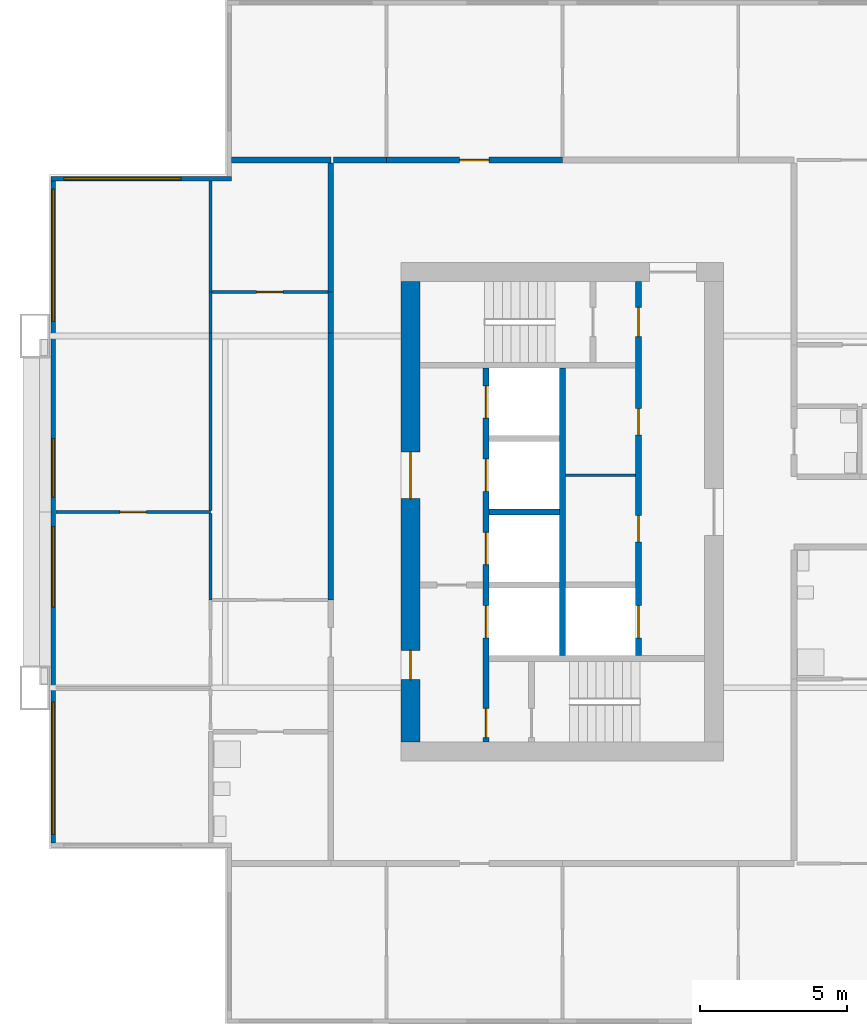
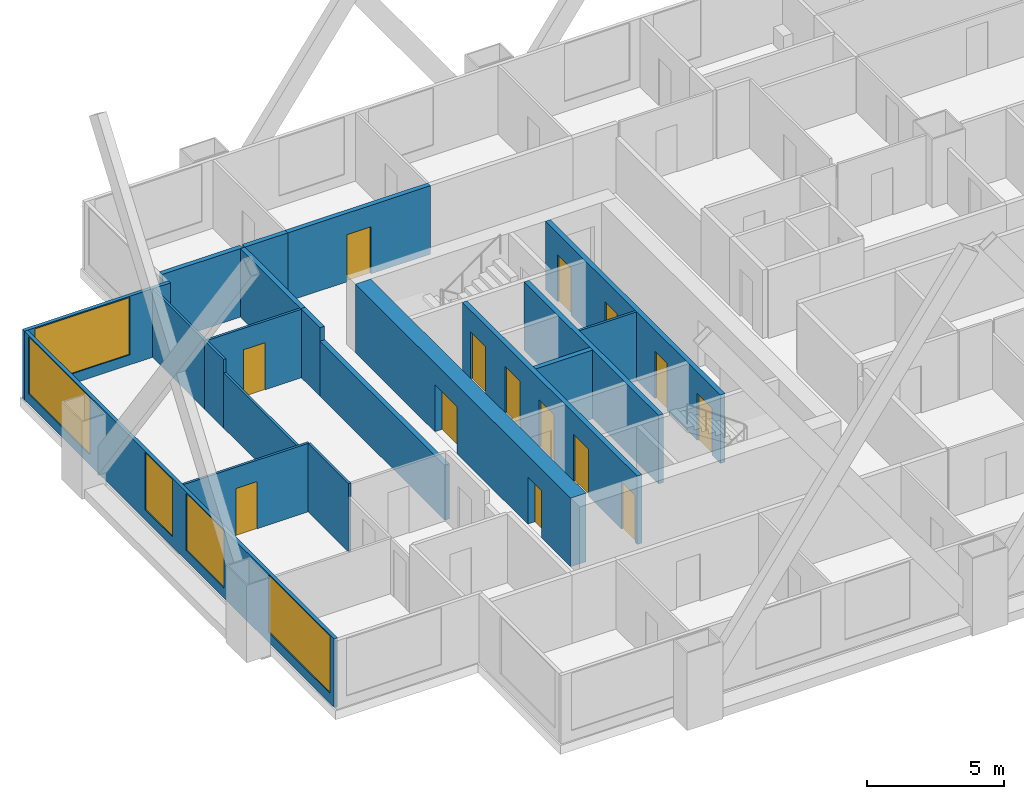
# One storey, part 3 of 11: 20 walls, 14 doors, 5 windows, 19 openings.
"""IFC4 building model written with IfcOpenShell, lengths in metres."""

from ifc_helpers import new_model, si_unit, direction, frame, frame_2d, origin, place, context, subcontext, project, spatial, rectangle, extrude, material, layer, layer_set, type_object, element, fill, save


model = new_model("IFC4")

# Units and contexts
model_context = context("Model", 3, precision=1e-05, world=origin(), true_north=direction((0.0, 1.0)))
body_context = subcontext(model_context, "Body", "Model", "MODEL_VIEW")
ifc_project = project(units=[si_unit("LENGTHUNIT", "METRE"), si_unit("AREAUNIT", "SQUARE_METRE"), si_unit("VOLUMEUNIT", "CUBIC_METRE"), si_unit("PLANEANGLEUNIT", "RADIAN"), si_unit("MASSUNIT", "GRAM", prefix="KILO")], contexts=[model_context])

# Site, building, storey
site_placement = place(None, origin())
site = spatial("IfcSite", under=ifc_project, at=site_placement, CompositionType="ELEMENT")
building_placement = place(site_placement, origin())
building = spatial("IfcBuilding", under=site, at=building_placement, Name="Kitamizu Gate Tower and Museum", CompositionType="ELEMENT")
storey_placement = place(building_placement, frame((0.0, 0.0, 96.60009765625)))
storey = spatial("IfcBuildingStorey", under=building, at=storey_placement, Name="L24", CompositionType="ELEMENT", Elevation=96.60009765625)

# Wall, openings, doors
ifc_material_1 = material(Name="Concrete Fc60", Category="concrete")
ifc_layer_1 = layer(ifc_material_1, 0.64990234375)
ifc_layer_set_1 = layer_set([ifc_layer_1], Name="Concrete Fc60")
wall_type_1 = type_object("IfcWallType", Name="Core wall 650", PredefinedType="SHEAR", material=ifc_layer_set_1)
wall_1_placement = place(storey_placement, frame((12.824951171875, 22.14990234375, 0.0), z_axis=(0.0, 0.0, 1.0), x_axis=(0.0, 1.0, 0.0)))
wall_1 = element("IfcWall", 1, at=wall_1_placement, inside=storey, type_object=wall_type_1, Name="Core wall WOUT", PredefinedType="SHEAR", context=body_context, shape_type="SweptSolid", body=[
    extrude(rectangle(XDim=15.7001953125, YDim=0.64990234375, at=frame_2d((7.85009765625, 0.0))), origin(), (0.0, 0.0, 1.0), 3.0498046875),
])
opening_1_placement = place(wall_1_placement, frame((8.300048828125, 0.0, 0.0)))
opening_1 = element("IfcOpeningElement", 2, at=opening_1_placement, cuts=wall_1, Name="Opening L24-061", PredefinedType="OPENING", context=body_context, shape_type="SweptSolid", body=[
    extrude(rectangle(XDim=1.60009765625, YDim=2.10009765625, at=frame_2d((0.800048828125, 1.050048828125))), frame((0.0, 0.3349609375, 0.0), z_axis=(0.0, -1.0, 0.0), x_axis=(1.0, 0.0, 0.0)), (0.0, 0.0, 1.0), 0.669921875),
])
opening_2_placement = place(wall_1_placement, frame((2.125, 0.0, 0.0)))
opening_2 = element("IfcOpeningElement", 3, at=opening_2_placement, cuts=wall_1, Name="Opening L24-062", PredefinedType="OPENING", context=body_context, shape_type="SweptSolid", body=[
    extrude(rectangle(XDim=1.0, YDim=2.10009765625, at=frame_2d((0.5, 1.050048828125))), frame((0.0, 0.3349609375, 0.0), z_axis=(0.0, -1.0, 0.0), x_axis=(1.0, 0.0, 0.0)), (0.0, 0.0, 1.0), 0.669921875),
])
ifc_material_2 = material(Name="Timber door set", Category="wood")
door_type_1 = type_object("IfcDoorType", Name="Entrance door 1600", OperationType="DOUBLE_DOOR_SINGLE_SWING", PredefinedType="DOOR", material=ifc_material_2)
door_1_placement = place(opening_1_placement, origin())
door_1 = element("IfcDoor", 4, at=door_1_placement, inside=storey, type_object=door_type_1, Name="Lobby door L24-061", OperationType="DOUBLE_DOOR_SINGLE_SWING", OverallHeight=2.10009765625, OverallWidth=1.60009765625, PredefinedType="DOOR", context=body_context, shape_type="SweptSolid", body=[
    extrude(rectangle(XDim=1.60009765625, YDim=2.10009765625, at=frame_2d((0.800048828125, 1.050048828125))), frame((0.0, 0.02490234375, 0.0), z_axis=(0.0, -1.0, 0.0), x_axis=(1.0, 0.0, 0.0)), (0.0, 0.0, 1.0), 0.050048828125),
])
fill(opening_1, door_1)
ifc_material_3 = material(Name="Hollow metal door set")
door_type_2 = type_object("IfcDoorType", Name="Fire door 1000", OperationType="NOTDEFINED", PredefinedType="DOOR", material=ifc_material_3)
door_2_placement = place(opening_2_placement, frame((1.0, 0.0, 0.0), x_axis=(-1.0, 0.0, 0.0)))
door_2 = element("IfcDoor", 5, at=door_2_placement, inside=storey, type_object=door_type_2, Name="Fire-fighting lobby door L24-062", OperationType="SINGLE_SWING_RIGHT", OverallHeight=2.10009765625, OverallWidth=1.0, PredefinedType="DOOR", context=body_context, shape_type="SweptSolid", body=[
    extrude(rectangle(XDim=1.0, YDim=2.10009765625, at=frame_2d((0.5, 1.050048828125))), frame((0.0, 0.02490234375, 0.0), z_axis=(0.0, -1.0, 0.0), x_axis=(1.0, 0.0, 0.0)), (0.0, 0.0, 1.0), 0.050048828125),
])
fill(opening_2, door_2)

# Wall
ifc_material_4 = material(Name="Gypsum board on galvanised stud")
ifc_layer_2 = layer(ifc_material_4, 0.10009765625)
ifc_layer_set_2 = layer_set([ifc_layer_2], Name="Gypsum board on galvanised stud")
wall_type_2 = type_object("IfcWallType", Name="Partition 100", PredefinedType="PARTITIONING", material=ifc_layer_set_2)
wall_2_placement = place(storey_placement, frame((18.10009765625, 31.25, 0.0), z_axis=(0.0, 0.0, 1.0), x_axis=(1.0, 0.0, 0.0)))
element("IfcWall", 6, at=wall_2_placement, inside=storey, type_object=wall_type_2, Name="Partition WPF1", PredefinedType="PARTITIONING", context=body_context, shape_type="SweptSolid", body=[
    extrude(rectangle(XDim=2.39990234375, YDim=0.10009765625, at=frame_2d((1.199951171875, 0.0))), origin(), (0.0, 0.0, 1.0), 3.0498046875),
])

# Wall, opening, door
ifc_material_5 = material(Name="Gypsum board on galvanised stud")
ifc_layer_3 = layer(ifc_material_5, 0.10009765625)
ifc_layer_set_3 = layer_set([ifc_layer_3], Name="Gypsum board on galvanised stud")
wall_type_3 = type_object("IfcWallType", Name="Partition 100 NOT RATED", PredefinedType="PARTITIONING", material=ifc_layer_set_3)
wall_3_placement = place(storey_placement, frame((6.0, 30.0, 0.0), z_axis=(0.0, 0.0, 1.0), x_axis=(-1.0, 0.0, 0.0)))
wall_3 = element("IfcWall", 7, at=wall_3_placement, inside=storey, type_object=wall_type_3, Name="Partition L24-033", PredefinedType="PARTITIONING", context=body_context, shape_type="SweptSolid", body=[
    extrude(rectangle(XDim=5.280029296875, YDim=0.10009765625, at=frame_2d((2.64013671875, 0.0))), origin(), (0.0, 0.0, 1.0), 3.0498046875),
])
opening_3_placement = place(wall_3_placement, frame((2.18994140625, 0.0, 0.0)))
opening_3 = element("IfcOpeningElement", 8, at=opening_3_placement, cuts=wall_3, Name="Opening L24-015", PredefinedType="OPENING", context=body_context, shape_type="SweptSolid", body=[
    extrude(rectangle(XDim=0.89990234375, YDim=2.10009765625, at=frame_2d((0.449951171875, 1.050048828125))), frame((0.0, 0.06005859375, 0.0), z_axis=(0.0, -1.0, 0.0), x_axis=(1.0, 0.0, 0.0)), (0.0, 0.0, 1.0), 0.1201171875),
])
ifc_material_6 = material(Name="Timber door set", Category="wood")
door_type_3 = type_object("IfcDoorType", Name="Room door 900", OperationType="NOTDEFINED", PredefinedType="DOOR", material=ifc_material_6)
door_3_placement = place(opening_3_placement, origin())
door_3 = element("IfcDoor", 9, at=door_3_placement, inside=storey, type_object=door_type_3, Name="Door L24-015", OperationType="SINGLE_SWING_RIGHT", OverallHeight=2.10009765625, OverallWidth=0.89990234375, PredefinedType="DOOR", context=body_context, shape_type="SweptSolid", body=[
    extrude(rectangle(XDim=0.89990234375, YDim=2.10009765625, at=frame_2d((0.449951171875, 1.050048828125))), frame((0.0, 0.02490234375, 0.0), z_axis=(0.0, -1.0, 0.0), x_axis=(1.0, 0.0, 0.0)), (0.0, 0.0, 1.0), 0.050048828125),
])
fill(opening_3, door_3)

# Walls
wall_4_placement = place(storey_placement, frame((6.0, 27.0, 0.0), z_axis=(0.0, 0.0, 1.0), x_axis=(0.0, 1.0, 0.0)))
element("IfcWall", 10, at=wall_4_placement, inside=storey, type_object=wall_type_3, Name="Partition L24-035", PredefinedType="PARTITIONING", context=body_context, shape_type="SweptSolid", body=[
    extrude(rectangle(XDim=2.949951171875, YDim=0.10009765625, at=frame_2d((1.47509765625, 0.0))), origin(), (0.0, 0.0, 1.0), 3.0498046875),
])
wall_5_placement = place(storey_placement, frame((6.0, 30.050048828125, 0.0), z_axis=(0.0, 0.0, 1.0), x_axis=(0.0, 1.0, 0.0)))
element("IfcWall", 11, at=wall_5_placement, inside=storey, type_object=wall_type_3, Name="Partition L24-036", PredefinedType="PARTITIONING", context=body_context, shape_type="SweptSolid", body=[
    extrude(rectangle(XDim=6.050048828125, YDim=0.10009765625, at=frame_2d((3.02490234375, 0.0))), origin(), (0.0, 0.0, 1.0), 2.449951171875),
])
wall_6_placement = place(storey_placement, frame((6.0, 36.10009765625, 0.0), z_axis=(0.0, 0.0, 1.0), x_axis=(0.0, 1.0, 0.0)))
element("IfcWall", 12, at=wall_6_placement, inside=storey, type_object=wall_type_3, Name="Partition L24-037", PredefinedType="PARTITIONING", context=body_context, shape_type="SweptSolid", body=[
    extrude(rectangle(XDim=1.39990234375, YDim=0.10009765625, at=frame_2d((0.699951171875, 0.0))), origin(), (0.0, 0.0, 1.0), 3.0498046875),
])
wall_7_placement = place(storey_placement, frame((6.0, 37.5, 0.0), z_axis=(0.0, 0.0, 1.0), x_axis=(0.0, 1.0, 0.0)))
element("IfcWall", 13, at=wall_7_placement, inside=storey, type_object=wall_type_3, Name="Partition L24-038", PredefinedType="PARTITIONING", context=body_context, shape_type="SweptSolid", body=[
    extrude(rectangle(XDim=3.780029296875, YDim=0.10009765625, at=frame_2d((1.89013671875, 0.0))), origin(), (0.0, 0.0, 1.0), 3.0498046875),
])

# Wall, opening, door
wall_8_placement = place(storey_placement, frame((10.0, 37.5, 0.0), z_axis=(0.0, 0.0, 1.0), x_axis=(-1.0, 0.0, 0.0)))
wall_8 = element("IfcWall", 14, at=wall_8_placement, inside=storey, type_object=wall_type_3, Name="Partition L24-044", PredefinedType="PARTITIONING", context=body_context, shape_type="SweptSolid", body=[
    extrude(rectangle(XDim=3.949951171875, YDim=0.10009765625, at=frame_2d((1.97509765625, 0.0))), origin(), (0.0, 0.0, 1.0), 3.0498046875),
])
opening_4_placement = place(wall_8_placement, frame((1.52490234375, 0.0, 0.0)))
opening_4 = element("IfcOpeningElement", 15, at=opening_4_placement, cuts=wall_8, Name="Opening L24-017", PredefinedType="OPENING", context=body_context, shape_type="SweptSolid", body=[
    extrude(rectangle(XDim=0.89990234375, YDim=2.10009765625, at=frame_2d((0.449951171875, 1.050048828125))), frame((0.0, 0.06005859375, 0.0), z_axis=(0.0, -1.0, 0.0), x_axis=(1.0, 0.0, 0.0)), (0.0, 0.0, 1.0), 0.1201171875),
])
door_4_placement = place(opening_4_placement, frame((0.89990234375, 0.0, 0.0), x_axis=(-1.0, 0.0, 0.0)))
door_4 = element("IfcDoor", 16, at=door_4_placement, inside=storey, type_object=door_type_3, Name="Door L24-017", OperationType="SINGLE_SWING_LEFT", OverallHeight=2.10009765625, OverallWidth=0.89990234375, PredefinedType="DOOR", context=body_context, shape_type="SweptSolid", body=[
    extrude(rectangle(XDim=0.89990234375, YDim=2.10009765625, at=frame_2d((0.449951171875, 1.050048828125))), frame((0.0, 0.02490234375, 0.0), z_axis=(0.0, -1.0, 0.0), x_axis=(1.0, 0.0, 0.0)), (0.0, 0.0, 1.0), 0.050048828125),
])
fill(opening_4, door_4)

# Walls
ifc_material_7 = material(Name="Gypsum board on galvanised stud")
ifc_layer_4 = layer(ifc_material_7, 0.199951171875)
ifc_layer_set_4 = layer_set([ifc_layer_4], Name="Gypsum board on galvanised stud")
wall_type_4 = type_object("IfcWallType", Name="Partition 200", PredefinedType="PARTITIONING", material=ifc_layer_set_4)
wall_9_placement = place(storey_placement, frame((10.10009765625, 27.0, 0.0), z_axis=(0.0, 0.0, 1.0), x_axis=(0.0, 1.0, 0.0)))
element("IfcWall", 17, at=wall_9_placement, inside=storey, type_object=wall_type_4, Name="Partition L24-045", PredefinedType="PARTITIONING", context=body_context, shape_type="SweptSolid", body=[
    extrude(rectangle(XDim=9.10009765625, YDim=0.199951171875, at=frame_2d((4.550048828125, 0.0))), origin(), (0.0, 0.0, 1.0), 2.449951171875),
])
wall_10_placement = place(storey_placement, frame((10.10009765625, 36.10009765625, 0.0), z_axis=(0.0, 0.0, 1.0), x_axis=(0.0, 1.0, 0.0)))
element("IfcWall", 18, at=wall_10_placement, inside=storey, type_object=wall_type_4, Name="Partition L24-046", PredefinedType="PARTITIONING", context=body_context, shape_type="SweptSolid", body=[
    extrude(rectangle(XDim=1.39990234375, YDim=0.199951171875, at=frame_2d((0.699951171875, 0.0))), origin(), (0.0, 0.0, 1.0), 3.0498046875),
])
wall_11_placement = place(storey_placement, frame((10.10009765625, 42.0, 0.0), z_axis=(0.0, 0.0, 1.0), x_axis=(-1.0, 0.0, 0.0)))
element("IfcWall", 19, at=wall_11_placement, inside=storey, type_object=wall_type_4, Name="Partition L24-047", PredefinedType="PARTITIONING", context=body_context, shape_type="SweptSolid", body=[
    extrude(rectangle(XDim=3.380126953125, YDim=0.199951171875, at=frame_2d((1.68994140625, 0.0))), origin(), (0.0, 0.0, 1.0), 3.0498046875),
])
wall_12_placement = place(storey_placement, frame((10.10009765625, 37.5, 0.0), z_axis=(0.0, 0.0, 1.0), x_axis=(0.0, 1.0, 0.0)))
element("IfcWall", 20, at=wall_12_placement, inside=storey, type_object=wall_type_4, Name="Partition L24-048", PredefinedType="PARTITIONING", context=body_context, shape_type="SweptSolid", body=[
    extrude(rectangle(XDim=4.39990234375, YDim=0.199951171875, at=frame_2d((2.199951171875, 0.0))), origin(), (0.0, 0.0, 1.0), 3.0498046875),
])
wall_13_placement = place(storey_placement, frame((10.199951171875, 42.0, 0.0), z_axis=(0.0, 0.0, 1.0), x_axis=(1.0, 0.0, 0.0)))
element("IfcWall", 21, at=wall_13_placement, inside=storey, type_object=wall_type_4, Name="Partition L24-094", PredefinedType="PARTITIONING", context=body_context, shape_type="SweptSolid", body=[
    extrude(rectangle(XDim=1.800048828125, YDim=0.199951171875, at=frame_2d((0.89990234375, 0.0))), origin(), (0.0, 0.0, 1.0), 3.0498046875),
])

# Wall, opening, door
wall_14_placement = place(storey_placement, frame((12.0, 42.0, 0.0), z_axis=(0.0, 0.0, 1.0), x_axis=(1.0, 0.0, 0.0)))
wall_14 = element("IfcWall", 22, at=wall_14_placement, inside=storey, type_object=wall_type_4, Name="Partition L24-096", PredefinedType="PARTITIONING", context=body_context, shape_type="SweptSolid", body=[
    extrude(rectangle(XDim=6.0, YDim=0.199951171875, at=frame_2d((3.0, 0.0))), origin(), (0.0, 0.0, 1.0), 3.0498046875),
])
opening_5_placement = place(wall_14_placement, frame((2.5, 0.0, 0.0)))
opening_5 = element("IfcOpeningElement", 23, at=opening_5_placement, cuts=wall_14, Name="Opening L24-036", PredefinedType="OPENING", context=body_context, shape_type="SweptSolid", body=[
    extrude(rectangle(XDim=1.0, YDim=2.10009765625, at=frame_2d((0.5, 1.050048828125))), frame((0.0, 0.10986328125, 0.0), z_axis=(0.0, -1.0, 0.0), x_axis=(1.0, 0.0, 0.0)), (0.0, 0.0, 1.0), 0.219970703125),
])
ifc_material_8 = material(Name="Timber door set", Category="wood")
door_type_4 = type_object("IfcDoorType", Name="Flat entrance door 1000", OperationType="NOTDEFINED", PredefinedType="DOOR", material=ifc_material_8)
door_5_placement = place(opening_5_placement, origin())
door_5 = element("IfcDoor", 24, at=door_5_placement, inside=storey, type_object=door_type_4, Name="Flat entrance door L24-036", OperationType="SINGLE_SWING_RIGHT", OverallHeight=2.10009765625, OverallWidth=1.0, PredefinedType="DOOR", context=body_context, shape_type="SweptSolid", body=[
    extrude(rectangle(XDim=1.0, YDim=2.10009765625, at=frame_2d((0.5, 1.050048828125))), frame((0.0, 0.02490234375, 0.0), z_axis=(0.0, -1.0, 0.0), x_axis=(1.0, 0.0, 0.0)), (0.0, 0.0, 1.0), 0.050048828125),
])
fill(opening_5, door_5)

# Wall, openings, doors
ifc_material_9 = material(Name="Concrete Fc42", Category="concrete")
ifc_layer_5 = layer(ifc_material_9, 0.199951171875)
ifc_layer_set_5 = layer_set([ifc_layer_5], Name="Concrete Fc42")
wall_type_5 = type_object("IfcWallType", Name="Shaft wall 200", PredefinedType="SOLIDWALL", material=ifc_layer_set_5)
wall_15_placement = place(storey_placement, frame((15.39990234375, 22.14990234375, 0.0), z_axis=(0.0, 0.0, 1.0), x_axis=(0.0, 1.0, 0.0)))
wall_15 = element("IfcWall", 25, at=wall_15_placement, inside=storey, type_object=wall_type_5, Name="Shaft wall WWEST", PredefinedType="SOLIDWALL", context=body_context, shape_type="SweptSolid", body=[
    extrude(rectangle(XDim=12.75, YDim=0.199951171875, at=frame_2d((6.375, 0.0))), origin(), (0.0, 0.0, 1.0), 3.0498046875),
])
opening_6_placement = place(wall_15_placement, frame((3.550048828125, 0.0, 0.0)))
opening_6 = element("IfcOpeningElement", 26, at=opening_6_placement, cuts=wall_15, Name="Opening LD", PredefinedType="OPENING", context=body_context, shape_type="SweptSolid", body=[
    extrude(rectangle(XDim=1.10009765625, YDim=2.10009765625, at=frame_2d((0.550048828125, 1.050048828125))), frame((0.0, 0.10986328125, 0.0), z_axis=(0.0, -1.0, 0.0), x_axis=(1.0, 0.0, 0.0)), (0.0, 0.0, 1.0), 0.219970703125),
])
opening_7_placement = place(wall_15_placement, frame((6.050048828125, 0.0, 0.0)))
opening_7 = element("IfcOpeningElement", 27, at=opening_7_placement, cuts=wall_15, Name="Opening LD", PredefinedType="OPENING", context=body_context, shape_type="SweptSolid", body=[
    extrude(rectangle(XDim=1.10009765625, YDim=2.10009765625, at=frame_2d((0.550048828125, 1.050048828125))), frame((0.0, 0.10986328125, 0.0), z_axis=(0.0, -1.0, 0.0), x_axis=(1.0, 0.0, 0.0)), (0.0, 0.0, 1.0), 0.219970703125),
])
opening_8_placement = place(wall_15_placement, frame((8.550048828125, 0.0, 0.0)))
opening_8 = element("IfcOpeningElement", 28, at=opening_8_placement, cuts=wall_15, Name="Opening LD", PredefinedType="OPENING", context=body_context, shape_type="SweptSolid", body=[
    extrude(rectangle(XDim=1.10009765625, YDim=2.10009765625, at=frame_2d((0.550048828125, 1.050048828125))), frame((0.0, 0.10986328125, 0.0), z_axis=(0.0, -1.0, 0.0), x_axis=(1.0, 0.0, 0.0)), (0.0, 0.0, 1.0), 0.219970703125),
])
opening_9_placement = place(wall_15_placement, frame((11.050048828125, 0.0, 0.0)))
opening_9 = element("IfcOpeningElement", 29, at=opening_9_placement, cuts=wall_15, Name="Opening LD", PredefinedType="OPENING", context=body_context, shape_type="SweptSolid", body=[
    extrude(rectangle(XDim=1.10009765625, YDim=2.10009765625, at=frame_2d((0.550048828125, 1.050048828125))), frame((0.0, 0.10986328125, 0.0), z_axis=(0.0, -1.0, 0.0), x_axis=(1.0, 0.0, 0.0)), (0.0, 0.0, 1.0), 0.219970703125),
])
opening_10_placement = place(wall_15_placement, frame((0.14990234375, 0.0, 0.0)))
opening_10 = element("IfcOpeningElement", 30, at=opening_10_placement, cuts=wall_15, Name="Opening L24-057", PredefinedType="OPENING", context=body_context, shape_type="SweptSolid", body=[
    extrude(rectangle(XDim=1.0, YDim=2.10009765625, at=frame_2d((0.5, 1.050048828125))), frame((0.0, 0.10986328125, 0.0), z_axis=(0.0, -1.0, 0.0), x_axis=(1.0, 0.0, 0.0)), (0.0, 0.0, 1.0), 0.219970703125),
])
door_6_placement = place(opening_10_placement, frame((1.0, 0.0, 0.0), x_axis=(-1.0, 0.0, 0.0)))
door_6 = element("IfcDoor", 31, at=door_6_placement, inside=storey, type_object=door_type_2, Name="Stair lobby door L24-057", OperationType="SINGLE_SWING_LEFT", OverallHeight=2.10009765625, OverallWidth=1.0, PredefinedType="DOOR", context=body_context, shape_type="SweptSolid", body=[
    extrude(rectangle(XDim=1.0, YDim=2.10009765625, at=frame_2d((0.5, 1.050048828125))), frame((0.0, 0.02490234375, 0.0), z_axis=(0.0, -1.0, 0.0), x_axis=(1.0, 0.0, 0.0)), (0.0, 0.0, 1.0), 0.050048828125),
])
fill(opening_10, door_6)
ifc_material_10 = material(Name="Hollow metal door set")
door_type_5 = type_object("IfcDoorType", Name="Landing door 1100", OperationType="SLIDING_TO_LEFT", PredefinedType="DOOR", material=ifc_material_10)
door_7_placement = place(opening_6_placement, origin())
door_7 = element("IfcDoor", 32, at=door_7_placement, inside=storey, type_object=door_type_5, Name="Landing door WFF1", OperationType="SLIDING_TO_LEFT", OverallHeight=2.10009765625, OverallWidth=1.10009765625, PredefinedType="DOOR", context=body_context, shape_type="SweptSolid", body=[
    extrude(rectangle(XDim=1.10009765625, YDim=2.10009765625, at=frame_2d((0.550048828125, 1.050048828125))), frame((0.0, 0.02490234375, 0.0), z_axis=(0.0, -1.0, 0.0), x_axis=(1.0, 0.0, 0.0)), (0.0, 0.0, 1.0), 0.050048828125),
])
fill(opening_6, door_7)
door_8_placement = place(opening_7_placement, origin())
door_8 = element("IfcDoor", 33, at=door_8_placement, inside=storey, type_object=door_type_5, Name="Landing door WL1", OperationType="SLIDING_TO_LEFT", OverallHeight=2.10009765625, OverallWidth=1.10009765625, PredefinedType="DOOR", context=body_context, shape_type="SweptSolid", body=[
    extrude(rectangle(XDim=1.10009765625, YDim=2.10009765625, at=frame_2d((0.550048828125, 1.050048828125))), frame((0.0, 0.02490234375, 0.0), z_axis=(0.0, -1.0, 0.0), x_axis=(1.0, 0.0, 0.0)), (0.0, 0.0, 1.0), 0.050048828125),
])
fill(opening_7, door_8)
door_9_placement = place(opening_8_placement, origin())
door_9 = element("IfcDoor", 34, at=door_9_placement, inside=storey, type_object=door_type_5, Name="Landing door WL2", OperationType="SLIDING_TO_LEFT", OverallHeight=2.10009765625, OverallWidth=1.10009765625, PredefinedType="DOOR", context=body_context, shape_type="SweptSolid", body=[
    extrude(rectangle(XDim=1.10009765625, YDim=2.10009765625, at=frame_2d((0.550048828125, 1.050048828125))), frame((0.0, 0.02490234375, 0.0), z_axis=(0.0, -1.0, 0.0), x_axis=(1.0, 0.0, 0.0)), (0.0, 0.0, 1.0), 0.050048828125),
])
fill(opening_8, door_9)
door_10_placement = place(opening_9_placement, origin())
door_10 = element("IfcDoor", 35, at=door_10_placement, inside=storey, type_object=door_type_5, Name="Landing door WL3", OperationType="SLIDING_TO_LEFT", OverallHeight=2.10009765625, OverallWidth=1.10009765625, PredefinedType="DOOR", context=body_context, shape_type="SweptSolid", body=[
    extrude(rectangle(XDim=1.10009765625, YDim=2.10009765625, at=frame_2d((0.550048828125, 1.050048828125))), frame((0.0, 0.02490234375, 0.0), z_axis=(0.0, -1.0, 0.0), x_axis=(1.0, 0.0, 0.0)), (0.0, 0.0, 1.0), 0.050048828125),
])
fill(opening_9, door_10)

wall_16_placement = place(storey_placement, frame((20.60009765625, 25.10009765625, 0.0), z_axis=(0.0, 0.0, 1.0), x_axis=(0.0, 1.0, 0.0)))
wall_16 = element("IfcWall", 36, at=wall_16_placement, inside=storey, type_object=wall_type_5, Name="Shaft wall WEAST", PredefinedType="SOLIDWALL", context=body_context, shape_type="SweptSolid", body=[
    extrude(rectangle(XDim=12.75, YDim=0.199951171875, at=frame_2d((6.375, 0.0))), origin(), (0.0, 0.0, 1.0), 3.0498046875),
])
opening_11_placement = place(wall_16_placement, frame((0.60009765625, 0.0, 0.0)))
opening_11 = element("IfcOpeningElement", 37, at=opening_11_placement, cuts=wall_16, Name="Opening LD", PredefinedType="OPENING", context=body_context, shape_type="SweptSolid", body=[
    extrude(rectangle(XDim=1.10009765625, YDim=2.10009765625, at=frame_2d((0.550048828125, 1.050048828125))), frame((0.0, 0.10986328125, 0.0), z_axis=(0.0, -1.0, 0.0), x_axis=(1.0, 0.0, 0.0)), (0.0, 0.0, 1.0), 0.219970703125),
])
opening_12_placement = place(wall_16_placement, frame((10.875, 0.0, 0.0)))
opening_12 = element("IfcOpeningElement", 38, at=opening_12_placement, cuts=wall_16, Name="Opening L24-058", PredefinedType="OPENING", context=body_context, shape_type="SweptSolid", body=[
    extrude(rectangle(XDim=1.0, YDim=2.10009765625, at=frame_2d((0.5, 1.050048828125))), frame((0.0, 0.10986328125, 0.0), z_axis=(0.0, -1.0, 0.0), x_axis=(1.0, 0.0, 0.0)), (0.0, 0.0, 1.0), 0.219970703125),
])
opening_13_placement = place(wall_16_placement, frame((3.875, 0.0, 0.0)))
opening_13 = element("IfcOpeningElement", 39, at=opening_13_placement, cuts=wall_16, Name="Opening L24-065", PredefinedType="OPENING", context=body_context, shape_type="SweptSolid", body=[
    extrude(rectangle(XDim=0.89990234375, YDim=2.10009765625, at=frame_2d((0.449951171875, 1.050048828125))), frame((0.0, 0.10986328125, 0.0), z_axis=(0.0, -1.0, 0.0), x_axis=(1.0, 0.0, 0.0)), (0.0, 0.0, 1.0), 0.219970703125),
])
opening_14_placement = place(wall_16_placement, frame((7.52490234375, 0.0, 0.0)))
opening_14 = element("IfcOpeningElement", 40, at=opening_14_placement, cuts=wall_16, Name="Opening L24-066", PredefinedType="OPENING", context=body_context, shape_type="SweptSolid", body=[
    extrude(rectangle(XDim=0.89990234375, YDim=2.10009765625, at=frame_2d((0.449951171875, 1.050048828125))), frame((0.0, 0.10986328125, 0.0), z_axis=(0.0, -1.0, 0.0), x_axis=(1.0, 0.0, 0.0)), (0.0, 0.0, 1.0), 0.219970703125),
])
door_11_placement = place(opening_12_placement, origin())
door_11 = element("IfcDoor", 41, at=door_11_placement, inside=storey, type_object=door_type_2, Name="Stair lobby door L24-058", OperationType="SINGLE_SWING_RIGHT", OverallHeight=2.10009765625, OverallWidth=1.0, PredefinedType="DOOR", context=body_context, shape_type="SweptSolid", body=[
    extrude(rectangle(XDim=1.0, YDim=2.10009765625, at=frame_2d((0.5, 1.050048828125))), frame((0.0, 0.02490234375, 0.0), z_axis=(0.0, -1.0, 0.0), x_axis=(1.0, 0.0, 0.0)), (0.0, 0.0, 1.0), 0.050048828125),
])
fill(opening_12, door_11)
door_12_placement = place(opening_11_placement, origin())
door_12 = element("IfcDoor", 42, at=door_12_placement, inside=storey, type_object=door_type_5, Name="Landing door WSV1", OperationType="SLIDING_TO_LEFT", OverallHeight=2.10009765625, OverallWidth=1.10009765625, PredefinedType="DOOR", context=body_context, shape_type="SweptSolid", body=[
    extrude(rectangle(XDim=1.10009765625, YDim=2.10009765625, at=frame_2d((0.550048828125, 1.050048828125))), frame((0.0, 0.02490234375, 0.0), z_axis=(0.0, -1.0, 0.0), x_axis=(1.0, 0.0, 0.0)), (0.0, 0.0, 1.0), 0.050048828125),
])
fill(opening_11, door_12)
ifc_material_11 = material(Name="Timber door set", Category="wood")
door_type_6 = type_object("IfcDoorType", Name="Service door 900", OperationType="NOTDEFINED", PredefinedType="DOOR", material=ifc_material_11)
door_13_placement = place(opening_13_placement, origin())
door_13 = element("IfcDoor", 43, at=door_13_placement, inside=storey, type_object=door_type_6, Name="Service door L24-065", OperationType="SINGLE_SWING_RIGHT", OverallHeight=2.10009765625, OverallWidth=0.89990234375, PredefinedType="DOOR", context=body_context, shape_type="SweptSolid", body=[
    extrude(rectangle(XDim=0.89990234375, YDim=2.10009765625, at=frame_2d((0.449951171875, 1.050048828125))), frame((0.0, 0.02490234375, 0.0), z_axis=(0.0, -1.0, 0.0), x_axis=(1.0, 0.0, 0.0)), (0.0, 0.0, 1.0), 0.050048828125),
])
fill(opening_13, door_13)
door_14_placement = place(opening_14_placement, origin())
door_14 = element("IfcDoor", 44, at=door_14_placement, inside=storey, type_object=door_type_6, Name="Service door L24-066", OperationType="SINGLE_SWING_LEFT", OverallHeight=2.10009765625, OverallWidth=0.89990234375, PredefinedType="DOOR", context=body_context, shape_type="SweptSolid", body=[
    extrude(rectangle(XDim=0.89990234375, YDim=2.10009765625, at=frame_2d((0.449951171875, 1.050048828125))), frame((0.0, 0.02490234375, 0.0), z_axis=(0.0, -1.0, 0.0), x_axis=(1.0, 0.0, 0.0)), (0.0, 0.0, 1.0), 0.050048828125),
])
fill(opening_14, door_14)

# Walls
wall_17_placement = place(storey_placement, frame((18.0, 25.10009765625, 0.0), z_axis=(0.0, 0.0, 1.0), x_axis=(0.0, 1.0, 0.0)))
element("IfcWall", 45, at=wall_17_placement, inside=storey, type_object=wall_type_5, Name="Shaft wall WMID", PredefinedType="SOLIDWALL", context=body_context, shape_type="SweptSolid", body=[
    extrude(rectangle(XDim=9.7998046875, YDim=0.199951171875, at=frame_2d((4.89990234375, 0.0))), origin(), (0.0, 0.0, 1.0), 3.0498046875),
])
wall_18_placement = place(storey_placement, frame((15.5, 30.0, 0.0), z_axis=(0.0, 0.0, 1.0), x_axis=(1.0, 0.0, 0.0)))
element("IfcWall", 46, at=wall_18_placement, inside=storey, type_object=wall_type_5, Name="Shaft wall WDVW1", PredefinedType="SOLIDWALL", context=body_context, shape_type="SweptSolid", body=[
    extrude(rectangle(XDim=2.39990234375, YDim=0.199951171875, at=frame_2d((1.199951171875, 0.0))), origin(), (0.0, 0.0, 1.0), 3.0498046875),
])

# Wall, opening, window
ifc_material_12 = material(Name="Bronze anodised aluminium frame with insulated spandrel and tinted glass", Category="aluminium")
ifc_layer_6 = layer(ifc_material_12, 0.14990234375)
ifc_layer_set_6 = layer_set([ifc_layer_6], Name="Bronze anodised aluminium frame with insulated spandrel and tinted glass")
wall_type_6 = type_object("IfcWallType", Name="WINDOW WALL 150 BRONZE FRAME EI 30", PredefinedType="ELEMENTEDWALL", material=ifc_layer_set_6)
wall_19_placement = place(storey_placement, frame((0.56005859375, 41.364990234375, 0.0), z_axis=(0.0, 0.0, 1.0), x_axis=(1.0, 0.0, 0.0)))
wall_19 = element("IfcWall", 47, at=wall_19_placement, inside=storey, type_object=wall_type_6, Name="Window wall north L24", PredefinedType="ELEMENTEDWALL", context=body_context, shape_type="SweptSolid", body=[
    extrude(rectangle(XDim=6.14990234375, YDim=0.14990234375, at=frame_2d((3.074951171875, 0.0))), origin(), (0.0, 0.0, 1.0), 3.0498046875),
])
opening_15_placement = place(wall_19_placement, frame((0.43994140625, 0.0, 0.449951171875)))
opening_15 = element("IfcOpeningElement", 48, at=opening_15_placement, cuts=wall_19, Name="Opening W16", PredefinedType="OPENING", context=body_context, shape_type="SweptSolid", body=[
    extrude(rectangle(XDim=4.0, YDim=2.550048828125, at=frame_2d((2.0, 1.27490234375))), frame((0.0, 0.0849609375, 0.0), z_axis=(0.0, -1.0, 0.0), x_axis=(1.0, 0.0, 0.0)), (0.0, 0.0, 1.0), 0.169921875),
])
ifc_material_13 = material(Name="Bronze anodised aluminium frame, tinted triple glazing", Category="aluminium")
window_type_1 = type_object("IfcWindowType", Name="WINDOW 4000 x 2550 SILL 450", PartitioningType="SINGLE_PANEL", PredefinedType="WINDOW", material=ifc_material_13)
window_1_placement = place(opening_15_placement, origin())
window_1 = element("IfcWindow", 49, at=window_1_placement, inside=storey, type_object=window_type_1, Name="Window W16 L24", OverallHeight=2.550048828125, OverallWidth=4.0, PartitioningType="SINGLE_PANEL", PredefinedType="WINDOW", context=body_context, shape_type="SweptSolid", body=[
    extrude(rectangle(XDim=4.0, YDim=2.550048828125, at=frame_2d((2.0, 1.27490234375))), frame((0.0, 0.030029296875, 0.0), z_axis=(0.0, -1.0, 0.0), x_axis=(1.0, 0.0, 0.0)), (0.0, 0.0, 1.0), 0.06005859375),
])
fill(opening_15, window_1)

# Wall, openings, windows
wall_20_placement = place(storey_placement, frame((0.635009765625, 18.7099609375, 0.0), z_axis=(0.0, 0.0, 1.0), x_axis=(0.0, 1.0, 0.0)))
wall_20 = element("IfcWall", 50, at=wall_20_placement, inside=storey, type_object=wall_type_6, Name="Window wall west L24", PredefinedType="ELEMENTEDWALL", context=body_context, shape_type="SweptSolid", body=[
    extrude(rectangle(XDim=22.580078125, YDim=0.14990234375, at=frame_2d((11.2900390625, 0.0))), origin(), (0.0, 0.0, 1.0), 3.0498046875),
])
opening_16_placement = place(wall_20_placement, frame((0.2900390625, 0.0, 0.449951171875)))
opening_16 = element("IfcOpeningElement", 51, at=opening_16_placement, cuts=wall_20, Name="Opening W15", PredefinedType="OPENING", context=body_context, shape_type="SweptSolid", body=[
    extrude(rectangle(XDim=4.5, YDim=2.550048828125, at=frame_2d((2.25, 1.27490234375))), frame((0.0, 0.0849609375, 0.0), z_axis=(0.0, -1.0, 0.0), x_axis=(1.0, 0.0, 0.0)), (0.0, 0.0, 1.0), 0.169921875),
])
opening_17_placement = place(wall_20_placement, frame((8.0400390625, 0.0, 0.449951171875)))
opening_17 = element("IfcOpeningElement", 52, at=opening_17_placement, cuts=wall_20, Name="Opening W32", PredefinedType="OPENING", context=body_context, shape_type="SweptSolid", body=[
    extrude(rectangle(XDim=2.75, YDim=2.550048828125, at=frame_2d((1.375, 1.27490234375))), frame((0.0, 0.0849609375, 0.0), z_axis=(0.0, -1.0, 0.0), x_axis=(1.0, 0.0, 0.0)), (0.0, 0.0, 1.0), 0.169921875),
])
opening_18_placement = place(wall_20_placement, frame((11.7900390625, 0.0, 0.449951171875)))
opening_18 = element("IfcOpeningElement", 53, at=opening_18_placement, cuts=wall_20, Name="Opening W2", PredefinedType="OPENING", context=body_context, shape_type="SweptSolid", body=[
    extrude(rectangle(XDim=2.0, YDim=2.550048828125, at=frame_2d((1.0, 1.27490234375))), frame((0.0, 0.0849609375, 0.0), z_axis=(0.0, -1.0, 0.0), x_axis=(1.0, 0.0, 0.0)), (0.0, 0.0, 1.0), 0.169921875),
])
opening_19_placement = place(wall_20_placement, frame((17.7900390625, 0.0, 0.449951171875)))
opening_19 = element("IfcOpeningElement", 54, at=opening_19_placement, cuts=wall_20, Name="Opening W15", PredefinedType="OPENING", context=body_context, shape_type="SweptSolid", body=[
    extrude(rectangle(XDim=4.5, YDim=2.550048828125, at=frame_2d((2.25, 1.27490234375))), frame((0.0, 0.0849609375, 0.0), z_axis=(0.0, -1.0, 0.0), x_axis=(1.0, 0.0, 0.0)), (0.0, 0.0, 1.0), 0.169921875),
])
ifc_material_14 = material(Name="Bronze anodised aluminium frame, tinted triple glazing", Category="aluminium")
window_type_2 = type_object("IfcWindowType", Name="WINDOW 2000 x 2550 SILL 450", PartitioningType="SINGLE_PANEL", PredefinedType="WINDOW", material=ifc_material_14)
window_2_placement = place(opening_18_placement, origin())
window_2 = element("IfcWindow", 55, at=window_2_placement, inside=storey, type_object=window_type_2, Name="Window W2 L24", OverallHeight=2.550048828125, OverallWidth=2.0, PartitioningType="SINGLE_PANEL", PredefinedType="WINDOW", context=body_context, shape_type="SweptSolid", body=[
    extrude(rectangle(XDim=2.0, YDim=2.550048828125, at=frame_2d((1.0, 1.27490234375))), frame((0.0, 0.030029296875, 0.0), z_axis=(0.0, -1.0, 0.0), x_axis=(1.0, 0.0, 0.0)), (0.0, 0.0, 1.0), 0.06005859375),
])
fill(opening_18, window_2)
ifc_material_15 = material(Name="Bronze anodised aluminium frame, tinted triple glazing", Category="aluminium")
window_type_3 = type_object("IfcWindowType", Name="WINDOW 2750 x 2550 SILL 450", PartitioningType="SINGLE_PANEL", PredefinedType="WINDOW", material=ifc_material_15)
window_3_placement = place(opening_17_placement, origin())
window_3 = element("IfcWindow", 56, at=window_3_placement, inside=storey, type_object=window_type_3, Name="Window W32 L24", OverallHeight=2.550048828125, OverallWidth=2.75, PartitioningType="SINGLE_PANEL", PredefinedType="WINDOW", context=body_context, shape_type="SweptSolid", body=[
    extrude(rectangle(XDim=2.75, YDim=2.550048828125, at=frame_2d((1.375, 1.27490234375))), frame((0.0, 0.030029296875, 0.0), z_axis=(0.0, -1.0, 0.0), x_axis=(1.0, 0.0, 0.0)), (0.0, 0.0, 1.0), 0.06005859375),
])
fill(opening_17, window_3)
ifc_material_16 = material(Name="Bronze anodised aluminium frame, tinted triple glazing", Category="aluminium")
window_type_4 = type_object("IfcWindowType", Name="WINDOW 4500 x 2550 SILL 450", PartitioningType="SINGLE_PANEL", PredefinedType="WINDOW", material=ifc_material_16)
window_4_placement = place(opening_16_placement, origin())
window_4 = element("IfcWindow", 57, at=window_4_placement, inside=storey, type_object=window_type_4, Name="Window W15 L24", OverallHeight=2.550048828125, OverallWidth=4.5, PartitioningType="SINGLE_PANEL", PredefinedType="WINDOW", context=body_context, shape_type="SweptSolid", body=[
    extrude(rectangle(XDim=4.5, YDim=2.550048828125, at=frame_2d((2.25, 1.27490234375))), frame((0.0, 0.030029296875, 0.0), z_axis=(0.0, -1.0, 0.0), x_axis=(1.0, 0.0, 0.0)), (0.0, 0.0, 1.0), 0.06005859375),
])
fill(opening_16, window_4)
window_5_placement = place(opening_19_placement, origin())
window_5 = element("IfcWindow", 58, at=window_5_placement, inside=storey, type_object=window_type_4, Name="Window W15 L24", OverallHeight=2.550048828125, OverallWidth=4.5, PartitioningType="SINGLE_PANEL", PredefinedType="WINDOW", context=body_context, shape_type="SweptSolid", body=[
    extrude(rectangle(XDim=4.5, YDim=2.550048828125, at=frame_2d((2.25, 1.27490234375))), frame((0.0, 0.030029296875, 0.0), z_axis=(0.0, -1.0, 0.0), x_axis=(1.0, 0.0, 0.0)), (0.0, 0.0, 1.0), 0.06005859375),
])
fill(opening_19, window_5)

save(model, "model.ifc")
